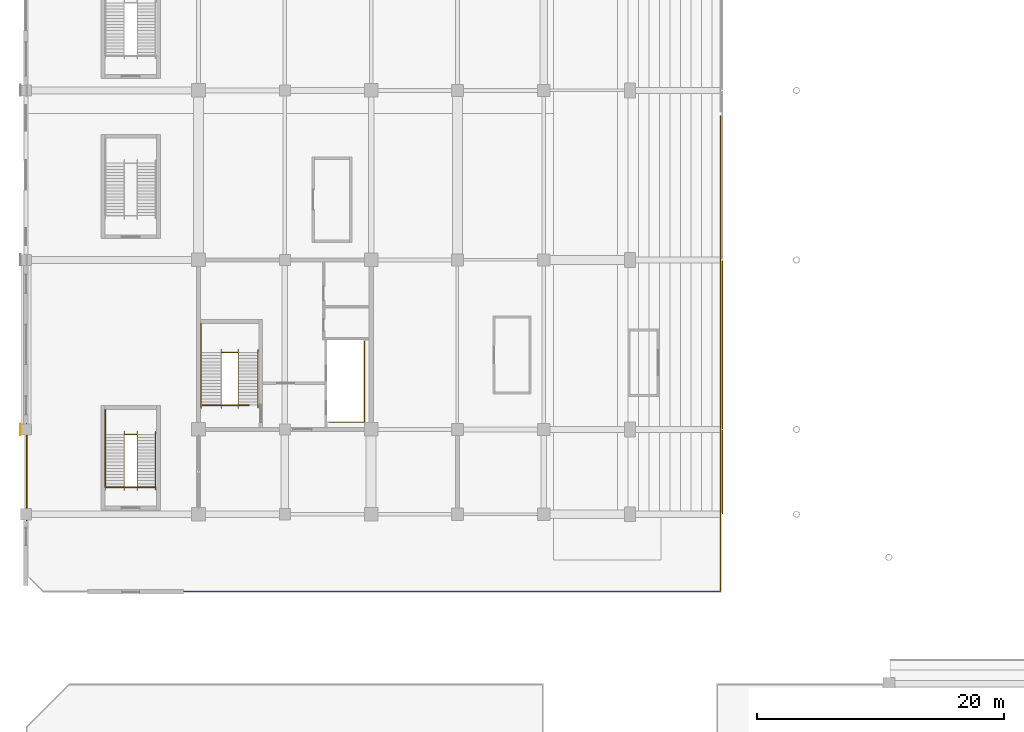
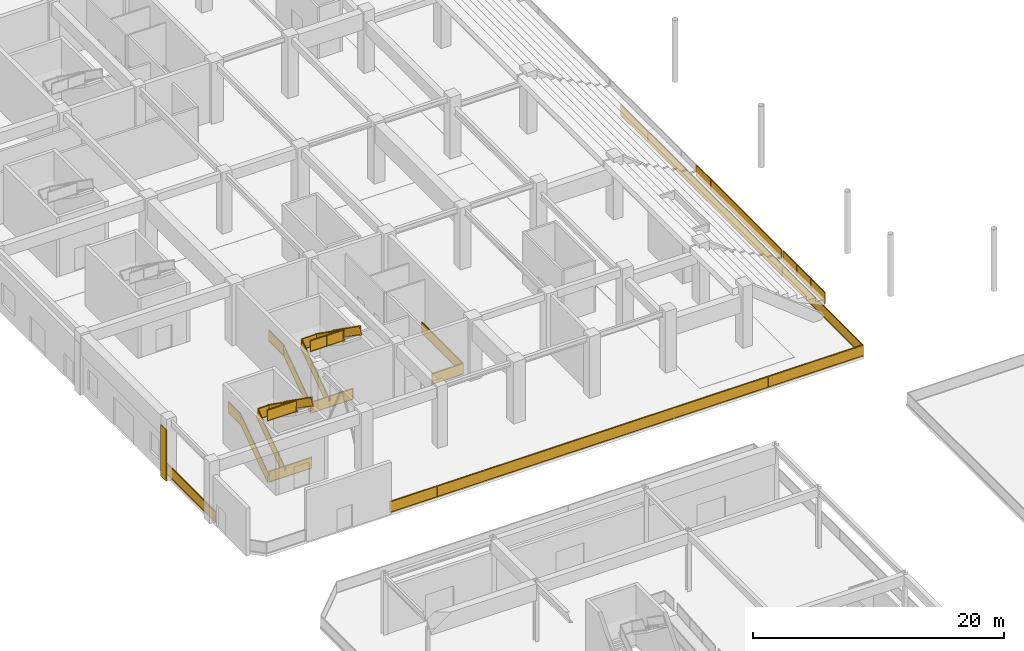
# One storey, part 58 of 73: 13 railings, 1 covering.
"""IFC4 building model written with IfcOpenShell, lengths in metres."""

from ifc_helpers import new_model, si_unit, direction, frame, origin, origin_2d, place, context, subcontext, project, spatial, rectangle, extrude, material, layer, layer_set, type_object, element, save


model = new_model("IFC4")

# Units and contexts
model_context = context("Model", 3, precision=1e-05, world=origin(), true_north=direction((0.0, 1.0)))
body_context = subcontext(model_context, "Body", "Model", "MODEL_VIEW")
ifc_project = project(units=[si_unit("LENGTHUNIT", "METRE"), si_unit("AREAUNIT", "SQUARE_METRE"), si_unit("VOLUMEUNIT", "CUBIC_METRE"), si_unit("PLANEANGLEUNIT", "RADIAN"), si_unit("MASSUNIT", "GRAM", prefix="KILO")], contexts=[model_context])

# Site, building, storey
site_placement = place(None, origin())
site = spatial("IfcSite", under=ifc_project, at=site_placement, CompositionType="ELEMENT")
building_placement = place(site_placement, origin())
building = spatial("IfcBuilding", under=site, at=building_placement, Name="Linyun Crest Stadium", CompositionType="ELEMENT")
storey_placement = place(building_placement, origin())
storey = spatial("IfcBuildingStorey", under=building, at=storey_placement, Name="L01", CompositionType="ELEMENT", Elevation=0.0)

# Covering
ifc_material_1 = material(Name="Precast concrete C40 fluted pier cladding", Category="concrete")
ifc_layer = layer(ifc_material_1, 0.0400390625)
ifc_layer_set = layer_set([ifc_layer], Name="Precast concrete C40 fluted pier cladding")
covering_type = type_object("IfcCoveringType", Name="CLD01", PredefinedType="CLADDING", material=ifc_layer_set)
covering_placement = place(storey_placement, frame((-98.449951171875, -39.125, 0.0), z_axis=(0.0, 0.0, 1.0), x_axis=(1.0, 0.0, 0.0)))
element("IfcCovering", 1, at=covering_placement, inside=storey, type_object=covering_type, Name="Red sandstone pier cladding CLD01 1", PredefinedType="CLADDING", context=body_context, shape_type="SweptSolid", body=[
    extrude(rectangle(XDim=0.06005859375, YDim=0.89990234375, at=origin_2d()), origin(), (0.0, 0.0, 1.0), 5.0),
])

# Railings
ifc_material_2 = material(Name="Galvanized and powder-coated steel bowl safety barrier", Category="steel")
railing_type_1 = type_object("IfcRailingType", Name="GR02", PredefinedType="GUARDRAIL", material=ifc_material_2)
railing_1_placement = place(storey_placement, frame((-41.5, -45.919921875, 1.199951171875)))
element("IfcRailing", 2, at=railing_1_placement, inside=storey, type_object=railing_type_1, Name="Bowl front safety guard GR02 1", PredefinedType="GUARDRAIL", context=body_context, shape_type="SweptSolid", body=[
    extrude(rectangle(XDim=0.06005859375, YDim=0.06005859375, at=origin_2d()), frame((0.0, 0.0, 1.090087890625), z_axis=(0.0, 1.0, 0.0), x_axis=(-1.0, 0.0, 0.0)), (0.0, 0.0, 1.0), 6.71484375),
    extrude(rectangle(XDim=0.030029296875, YDim=1.0, at=origin_2d()), frame((0.0, 0.0, 0.56005859375), z_axis=(0.0, 1.0, 0.0), x_axis=(-1.0, 0.0, 0.0)), (0.0, 0.0, 1.0), 6.71484375),
    extrude(rectangle(XDim=0.06005859375, YDim=0.06005859375, at=origin_2d()), frame((0.0, 0.0, 0.030029296875), z_axis=(0.0, 1.0, 0.0), x_axis=(-1.0, 0.0, 0.0)), (0.0, 0.0, 1.0), 6.71484375),
    extrude(rectangle(XDim=0.050048828125, YDim=0.050048828125, at=origin_2d()), origin(), (0.0, 0.0, 1.0), 1.1201171875),
    extrude(rectangle(XDim=0.050048828125, YDim=0.050048828125, at=origin_2d()), frame((0.0, 2.23828125, 0.0)), (0.0, 0.0, 1.0), 1.1201171875),
    extrude(rectangle(XDim=0.050048828125, YDim=0.050048828125, at=origin_2d()), frame((0.0, 4.4765625, 0.0)), (0.0, 0.0, 1.0), 1.1201171875),
    extrude(rectangle(XDim=0.050048828125, YDim=0.050048828125, at=origin_2d()), frame((0.0, 6.71484375, 0.0)), (0.0, 0.0, 1.0), 1.1201171875),
])
railing_2_placement = place(storey_placement, frame((-41.5, -39.044921875, 1.199951171875)))
element("IfcRailing", 3, at=railing_2_placement, inside=storey, type_object=railing_type_1, Name="Bowl front safety guard GR02 9", PredefinedType="GUARDRAIL", context=body_context, shape_type="SweptSolid", body=[
    extrude(rectangle(XDim=0.06005859375, YDim=0.06005859375, at=origin_2d()), frame((0.0, 0.0, 1.090087890625), z_axis=(0.0, 1.0, 0.0), x_axis=(-1.0, 0.0, 0.0)), (0.0, 0.0, 1.0), 13.58984375),
    extrude(rectangle(XDim=0.030029296875, YDim=1.0, at=origin_2d()), frame((0.0, 0.0, 0.56005859375), z_axis=(0.0, 1.0, 0.0), x_axis=(-1.0, 0.0, 0.0)), (0.0, 0.0, 1.0), 13.58984375),
    extrude(rectangle(XDim=0.06005859375, YDim=0.06005859375, at=origin_2d()), frame((0.0, 0.0, 0.030029296875), z_axis=(0.0, 1.0, 0.0), x_axis=(-1.0, 0.0, 0.0)), (0.0, 0.0, 1.0), 13.58984375),
    extrude(rectangle(XDim=0.050048828125, YDim=0.050048828125, at=origin_2d()), origin(), (0.0, 0.0, 1.0), 1.1201171875),
    extrude(rectangle(XDim=0.050048828125, YDim=0.050048828125, at=origin_2d()), frame((0.0, 2.264892578125, 0.0)), (0.0, 0.0, 1.0), 1.1201171875),
    extrude(rectangle(XDim=0.050048828125, YDim=0.050048828125, at=origin_2d()), frame((0.0, 4.530029296875, 0.0)), (0.0, 0.0, 1.0), 1.1201171875),
    extrude(rectangle(XDim=0.050048828125, YDim=0.050048828125, at=origin_2d()), frame((0.0, 6.794921875, 0.0)), (0.0, 0.0, 1.0), 1.1201171875),
    extrude(rectangle(XDim=0.050048828125, YDim=0.050048828125, at=origin_2d()), frame((0.0, 9.059814453125, 0.0)), (0.0, 0.0, 1.0), 1.1201171875),
    extrude(rectangle(XDim=0.050048828125, YDim=0.050048828125, at=origin_2d()), frame((0.0, 11.324951171875, 0.0)), (0.0, 0.0, 1.0), 1.1201171875),
    extrude(rectangle(XDim=0.050048828125, YDim=0.050048828125, at=origin_2d()), frame((0.0, 13.58984375, 0.0)), (0.0, 0.0, 1.0), 1.1201171875),
])
railing_3_placement = place(storey_placement, frame((-97.93994140625, -46.5, 0.0)))
element("IfcRailing", 4, at=railing_3_placement, inside=storey, type_object=railing_type_1, Name="Slab edge balustrade GR02 2", PredefinedType="GUARDRAIL", context=body_context, shape_type="SweptSolid", body=[
    extrude(rectangle(XDim=0.06005859375, YDim=0.06005859375, at=origin_2d()), frame((0.0, 0.0, 1.090087890625), z_axis=(0.0, 1.0, 0.0), x_axis=(-1.0, 0.0, 0.0)), (0.0, 0.0, 1.0), 7.81494140625),
    extrude(rectangle(XDim=0.030029296875, YDim=1.0, at=origin_2d()), frame((0.0, 0.0, 0.56005859375), z_axis=(0.0, 1.0, 0.0), x_axis=(-1.0, 0.0, 0.0)), (0.0, 0.0, 1.0), 7.81494140625),
    extrude(rectangle(XDim=0.06005859375, YDim=0.06005859375, at=origin_2d()), frame((0.0, 0.0, 0.030029296875), z_axis=(0.0, 1.0, 0.0), x_axis=(-1.0, 0.0, 0.0)), (0.0, 0.0, 1.0), 7.81494140625),
    extrude(rectangle(XDim=0.050048828125, YDim=0.050048828125, at=origin_2d()), origin(), (0.0, 0.0, 1.0), 1.1201171875),
    extrude(rectangle(XDim=0.050048828125, YDim=0.050048828125, at=origin_2d()), frame((0.0, 3.907470703125, 0.0)), (0.0, 0.0, 1.0), 1.1201171875),
    extrude(rectangle(XDim=0.050048828125, YDim=0.050048828125, at=origin_2d()), frame((0.0, 7.81494140625, 0.0)), (0.0, 0.0, 1.0), 1.1201171875),
])
railing_4_placement = place(storey_placement, frame((-41.659912109375, -13.669921875, 0.0)))
element("IfcRailing", 5, at=railing_4_placement, inside=storey, type_object=railing_type_1, Name="Slab edge balustrade GR02 4", PredefinedType="GUARDRAIL", context=body_context, shape_type="SweptSolid", body=[
    extrude(rectangle(XDim=0.06005859375, YDim=0.06005859375, at=origin_2d()), frame((0.0, 0.0, 1.090087890625), z_axis=(0.0, -1.0, 0.0), x_axis=(1.0, 0.0, 0.0)), (0.0, 0.0, 1.0), 38.60498046875),
    extrude(rectangle(XDim=0.030029296875, YDim=1.0, at=origin_2d()), frame((0.0, 0.0, 0.56005859375), z_axis=(0.0, -1.0, 0.0), x_axis=(1.0, 0.0, 0.0)), (0.0, 0.0, 1.0), 38.60498046875),
    extrude(rectangle(XDim=0.06005859375, YDim=0.06005859375, at=origin_2d()), frame((0.0, 0.0, 0.030029296875), z_axis=(0.0, -1.0, 0.0), x_axis=(1.0, 0.0, 0.0)), (0.0, 0.0, 1.0), 38.60498046875),
    extrude(rectangle(XDim=0.06005859375, YDim=0.06005859375, at=origin_2d()), frame((0.0, -38.60498046875, 1.090087890625), z_axis=(-1.0, 0.0, 0.0), x_axis=(0.0, -1.0, 0.0)), (0.0, 0.0, 1.0), 43.5400390625),
    extrude(rectangle(XDim=0.030029296875, YDim=1.0, at=origin_2d()), frame((0.0, -38.60498046875, 0.56005859375), z_axis=(-1.0, 0.0, 0.0), x_axis=(0.0, -1.0, 0.0)), (0.0, 0.0, 1.0), 43.5400390625),
    extrude(rectangle(XDim=0.06005859375, YDim=0.06005859375, at=origin_2d()), frame((0.0, -38.60498046875, 0.030029296875), z_axis=(-1.0, 0.0, 0.0), x_axis=(0.0, -1.0, 0.0)), (0.0, 0.0, 1.0), 43.5400390625),
    extrude(rectangle(XDim=0.050048828125, YDim=0.050048828125, at=origin_2d()), origin(), (0.0, 0.0, 1.0), 1.1201171875),
    extrude(rectangle(XDim=0.050048828125, YDim=0.050048828125, at=origin_2d()), frame((0.0, -4.28955078125, 0.0)), (0.0, 0.0, 1.0), 1.1201171875),
    extrude(rectangle(XDim=0.050048828125, YDim=0.050048828125, at=origin_2d()), frame((0.0, -8.578857421875, 0.0)), (0.0, 0.0, 1.0), 1.1201171875),
    extrude(rectangle(XDim=0.050048828125, YDim=0.050048828125, at=origin_2d()), frame((0.0, -12.868408203125, 0.0)), (0.0, 0.0, 1.0), 1.1201171875),
    extrude(rectangle(XDim=0.050048828125, YDim=0.050048828125, at=origin_2d()), frame((0.0, -17.15771484375, 0.0)), (0.0, 0.0, 1.0), 1.1201171875),
    extrude(rectangle(XDim=0.050048828125, YDim=0.050048828125, at=origin_2d()), frame((0.0, -21.447265625, 0.0)), (0.0, 0.0, 1.0), 1.1201171875),
    extrude(rectangle(XDim=0.050048828125, YDim=0.050048828125, at=origin_2d()), frame((0.0, -25.736572265625, 0.0)), (0.0, 0.0, 1.0), 1.1201171875),
    extrude(rectangle(XDim=0.050048828125, YDim=0.050048828125, at=origin_2d()), frame((0.0, -30.026123046875, 0.0)), (0.0, 0.0, 1.0), 1.1201171875),
    extrude(rectangle(XDim=0.050048828125, YDim=0.050048828125, at=origin_2d()), frame((0.0, -34.3154296875, 0.0)), (0.0, 0.0, 1.0), 1.1201171875),
    extrude(rectangle(XDim=0.050048828125, YDim=0.050048828125, at=origin_2d()), frame((0.0, -38.60498046875, 0.0)), (0.0, 0.0, 1.0), 1.1201171875),
    extrude(rectangle(XDim=0.050048828125, YDim=0.050048828125, at=origin_2d()), frame((-4.35400390625, -38.60498046875, 0.0)), (0.0, 0.0, 1.0), 1.1201171875),
    extrude(rectangle(XDim=0.050048828125, YDim=0.050048828125, at=origin_2d()), frame((-8.7080078125, -38.60498046875, 0.0)), (0.0, 0.0, 1.0), 1.1201171875),
    extrude(rectangle(XDim=0.050048828125, YDim=0.050048828125, at=origin_2d()), frame((-13.06201171875, -38.60498046875, 0.0)), (0.0, 0.0, 1.0), 1.1201171875),
    extrude(rectangle(XDim=0.050048828125, YDim=0.050048828125, at=origin_2d()), frame((-17.416015625, -38.60498046875, 0.0)), (0.0, 0.0, 1.0), 1.1201171875),
    extrude(rectangle(XDim=0.050048828125, YDim=0.050048828125, at=origin_2d()), frame((-21.77001953125, -38.60498046875, 0.0)), (0.0, 0.0, 1.0), 1.1201171875),
    extrude(rectangle(XDim=0.050048828125, YDim=0.050048828125, at=origin_2d()), frame((-26.1240234375, -38.60498046875, 0.0)), (0.0, 0.0, 1.0), 1.1201171875),
    extrude(rectangle(XDim=0.050048828125, YDim=0.050048828125, at=origin_2d()), frame((-30.47802734375, -38.60498046875, 0.0)), (0.0, 0.0, 1.0), 1.1201171875),
    extrude(rectangle(XDim=0.050048828125, YDim=0.050048828125, at=origin_2d()), frame((-34.83203125, -38.60498046875, 0.0)), (0.0, 0.0, 1.0), 1.1201171875),
    extrude(rectangle(XDim=0.050048828125, YDim=0.050048828125, at=origin_2d()), frame((-39.18603515625, -38.60498046875, 0.0)), (0.0, 0.0, 1.0), 1.1201171875),
    extrude(rectangle(XDim=0.050048828125, YDim=0.050048828125, at=origin_2d()), frame((-43.5400390625, -38.60498046875, 0.0)), (0.0, 0.0, 1.0), 1.1201171875),
])
railing_5_placement = place(storey_placement, frame((-73.419921875, -38.534912109375, 0.0)))
element("IfcRailing", 6, at=railing_5_placement, inside=storey, type_object=railing_type_1, Name="Slab edge balustrade GR02 6", PredefinedType="GUARDRAIL", context=body_context, shape_type="SweptSolid", body=[
    extrude(rectangle(XDim=0.06005859375, YDim=0.06005859375, at=origin_2d()), frame((0.0, 0.0, 1.090087890625), z_axis=(1.0, 0.0, 0.0), x_axis=(0.0, 1.0, 0.0)), (0.0, 0.0, 1.0), 2.8798828125),
    extrude(rectangle(XDim=0.030029296875, YDim=1.0, at=origin_2d()), frame((0.0, 0.0, 0.56005859375), z_axis=(1.0, 0.0, 0.0), x_axis=(0.0, 1.0, 0.0)), (0.0, 0.0, 1.0), 2.8798828125),
    extrude(rectangle(XDim=0.06005859375, YDim=0.06005859375, at=origin_2d()), frame((0.0, 0.0, 0.030029296875), z_axis=(1.0, 0.0, 0.0), x_axis=(0.0, 1.0, 0.0)), (0.0, 0.0, 1.0), 2.8798828125),
    extrude(rectangle(XDim=0.06005859375, YDim=0.06005859375, at=origin_2d()), frame((2.8798828125, 0.0, 1.090087890625), z_axis=(0.0, 1.0, 0.0), x_axis=(-1.0, 0.0, 0.0)), (0.0, 0.0, 1.0), 6.5498046875),
    extrude(rectangle(XDim=0.030029296875, YDim=1.0, at=origin_2d()), frame((2.8798828125, 0.0, 0.56005859375), z_axis=(0.0, 1.0, 0.0), x_axis=(-1.0, 0.0, 0.0)), (0.0, 0.0, 1.0), 6.5498046875),
    extrude(rectangle(XDim=0.06005859375, YDim=0.06005859375, at=origin_2d()), frame((2.8798828125, 0.0, 0.030029296875), z_axis=(0.0, 1.0, 0.0), x_axis=(-1.0, 0.0, 0.0)), (0.0, 0.0, 1.0), 6.5498046875),
    extrude(rectangle(XDim=0.050048828125, YDim=0.050048828125, at=origin_2d()), origin(), (0.0, 0.0, 1.0), 1.1201171875),
    extrude(rectangle(XDim=0.050048828125, YDim=0.050048828125, at=origin_2d()), frame((2.8798828125, 0.0, 0.0)), (0.0, 0.0, 1.0), 1.1201171875),
    extrude(rectangle(XDim=0.050048828125, YDim=0.050048828125, at=origin_2d()), frame((2.8798828125, 3.27490234375, 0.0)), (0.0, 0.0, 1.0), 1.1201171875),
    extrude(rectangle(XDim=0.050048828125, YDim=0.050048828125, at=origin_2d()), frame((2.8798828125, 6.5498046875, 0.0)), (0.0, 0.0, 1.0), 1.1201171875),
])
railing_6_placement = place(storey_placement, frame((-83.68505859375, -37.1650390625, 0.0)))
element("IfcRailing", 7, at=railing_6_placement, inside=storey, type_object=railing_type_1, Name="Slab edge balustrade GR02 7", PredefinedType="GUARDRAIL", context=body_context, shape_type="SweptSolid", body=[
    extrude(rectangle(XDim=0.06005859375, YDim=0.06005859375, at=origin_2d()), frame((0.0, 0.0, 1.090087890625), z_axis=(1.0, 0.0, 0.0), x_axis=(0.0, 1.0, 0.0)), (0.0, 0.0, 1.0), 3.78515625),
    extrude(rectangle(XDim=0.030029296875, YDim=1.0, at=origin_2d()), frame((0.0, 0.0, 0.56005859375), z_axis=(1.0, 0.0, 0.0), x_axis=(0.0, 1.0, 0.0)), (0.0, 0.0, 1.0), 3.78515625),
    extrude(rectangle(XDim=0.06005859375, YDim=0.06005859375, at=origin_2d()), frame((0.0, 0.0, 0.030029296875), z_axis=(1.0, 0.0, 0.0), x_axis=(0.0, 1.0, 0.0)), (0.0, 0.0, 1.0), 3.78515625),
    extrude(rectangle(XDim=0.050048828125, YDim=0.050048828125, at=origin_2d()), origin(), (0.0, 0.0, 1.0), 1.1201171875),
    extrude(rectangle(XDim=0.050048828125, YDim=0.050048828125, at=origin_2d()), frame((3.78515625, 0.0, 0.0)), (0.0, 0.0, 1.0), 1.1201171875),
])
railing_7_placement = place(storey_placement, frame((-91.4599609375, -43.81005859375, 0.0)))
element("IfcRailing", 8, at=railing_7_placement, inside=storey, type_object=railing_type_1, Name="Slab edge balustrade GR02 8", PredefinedType="GUARDRAIL", context=body_context, shape_type="SweptSolid", body=[
    extrude(rectangle(XDim=0.06005859375, YDim=0.06005859375, at=origin_2d()), frame((0.0, 0.0, 1.090087890625), z_axis=(1.0, 0.0, 0.0), x_axis=(0.0, 1.0, 0.0)), (0.0, 0.0, 1.0), 3.919921875),
    extrude(rectangle(XDim=0.030029296875, YDim=1.0, at=origin_2d()), frame((0.0, 0.0, 0.56005859375), z_axis=(1.0, 0.0, 0.0), x_axis=(0.0, 1.0, 0.0)), (0.0, 0.0, 1.0), 3.919921875),
    extrude(rectangle(XDim=0.06005859375, YDim=0.06005859375, at=origin_2d()), frame((0.0, 0.0, 0.030029296875), z_axis=(1.0, 0.0, 0.0), x_axis=(0.0, 1.0, 0.0)), (0.0, 0.0, 1.0), 3.919921875),
    extrude(rectangle(XDim=0.050048828125, YDim=0.050048828125, at=origin_2d()), origin(), (0.0, 0.0, 1.0), 1.1201171875),
    extrude(rectangle(XDim=0.050048828125, YDim=0.050048828125, at=origin_2d()), frame((3.919921875, 0.0, 0.0)), (0.0, 0.0, 1.0), 1.1201171875),
])
ifc_material_3 = material(Name="Painted steel stairwell safety guard", Category="steel")
railing_type_2 = type_object("IfcRailingType", Name="GR03", PredefinedType="GUARDRAIL", material=ifc_material_3)
railing_8_placement = place(storey_placement, frame((-83.794921875, -37.135009765625, 0.0)))
element("IfcRailing", 9, at=railing_8_placement, inside=storey, type_object=railing_type_2, Name="STR-01-L01 outer guard", PredefinedType="GUARDRAIL", context=body_context, shape_type="SweptSolid", body=[
    extrude(rectangle(XDim=0.06005859375, YDim=0.06005859375, at=origin_2d()), frame((0.0, 0.0, 1.090087890625), z_axis=(0.0, 0.816967863265, 0.576683197599), x_axis=(-1.0, 0.0, 0.0)), (0.0, 0.0, 1.0), 5.2021484375),
    extrude(rectangle(XDim=0.030029296875, YDim=1.0, at=origin_2d()), frame((0.0, 0.0, 0.56005859375), z_axis=(0.0, 0.816967863265, 0.576683197599), x_axis=(-1.0, 0.0, 0.0)), (0.0, 0.0, 1.0), 5.2021484375),
    extrude(rectangle(XDim=0.06005859375, YDim=0.06005859375, at=origin_2d()), frame((0.0, 0.0, 0.030029296875), z_axis=(0.0, 0.816967863265, 0.576683197599), x_axis=(-1.0, 0.0, 0.0)), (0.0, 0.0, 1.0), 5.2021484375),
    extrude(rectangle(XDim=0.06005859375, YDim=0.06005859375, at=origin_2d()), frame((0.0, 4.25, 4.090087890625), z_axis=(0.0, 1.0, 0.0), x_axis=(-1.0, 0.0, 0.0)), (0.0, 0.0, 1.0), 2.330078125),
    extrude(rectangle(XDim=0.030029296875, YDim=1.0, at=origin_2d()), frame((0.0, 4.25, 3.56005859375), z_axis=(0.0, 1.0, 0.0), x_axis=(-1.0, 0.0, 0.0)), (0.0, 0.0, 1.0), 2.330078125),
    extrude(rectangle(XDim=0.06005859375, YDim=0.06005859375, at=origin_2d()), frame((0.0, 4.25, 3.030029296875), z_axis=(0.0, 1.0, 0.0), x_axis=(-1.0, 0.0, 0.0)), (0.0, 0.0, 1.0), 2.330078125),
    extrude(rectangle(XDim=0.050048828125, YDim=0.050048828125, at=origin_2d()), origin(), (0.0, 0.0, 1.0), 1.1201171875),
    extrude(rectangle(XDim=0.050048828125, YDim=0.050048828125, at=origin_2d()), frame((0.0, 1.416748046875, 1.0)), (0.0, 0.0, 1.0), 1.1201171875),
    extrude(rectangle(XDim=0.050048828125, YDim=0.050048828125, at=origin_2d()), frame((0.0, 2.833251953125, 2.0)), (0.0, 0.0, 1.0), 1.1201171875),
    extrude(rectangle(XDim=0.050048828125, YDim=0.050048828125, at=origin_2d()), frame((0.0, 4.25, 3.0)), (0.0, 0.0, 1.0), 1.1201171875),
    extrude(rectangle(XDim=0.050048828125, YDim=0.050048828125, at=origin_2d()), frame((0.0, 5.4150390625, 3.0)), (0.0, 0.0, 1.0), 1.1201171875),
    extrude(rectangle(XDim=0.050048828125, YDim=0.050048828125, at=origin_2d()), frame((0.0, 6.580078125, 3.0)), (0.0, 0.0, 1.0), 1.1201171875),
])
railing_9_placement = place(storey_placement, frame((-82.155029296875, -37.155029296875, 0.0)))
element("IfcRailing", 10, at=railing_9_placement, inside=storey, type_object=railing_type_2, Name="STR-01-L01 inner well guard", PredefinedType="GUARDRAIL", context=body_context, shape_type="SweptSolid", body=[
    extrude(rectangle(XDim=0.06005859375, YDim=0.06005859375, at=origin_2d()), frame((0.0, 0.0, 1.090087890625), z_axis=(0.0, 0.818241657069, 0.574874412926), x_axis=(-1.0, 0.0, 0.0)), (0.0, 0.0, 1.0), 5.218505859375),
    extrude(rectangle(XDim=0.030029296875, YDim=1.0, at=origin_2d()), frame((0.0, 0.0, 0.56005859375), z_axis=(0.0, 0.818241657069, 0.574874412926), x_axis=(-1.0, 0.0, 0.0)), (0.0, 0.0, 1.0), 5.218505859375),
    extrude(rectangle(XDim=0.06005859375, YDim=0.06005859375, at=origin_2d()), frame((0.0, 0.0, 0.030029296875), z_axis=(0.0, 0.818241657069, 0.574874412926), x_axis=(-1.0, 0.0, 0.0)), (0.0, 0.0, 1.0), 5.218505859375),
    extrude(rectangle(XDim=0.06005859375, YDim=0.06005859375, at=origin_2d()), frame((0.0, 4.27001953125, 4.090087890625), z_axis=(1.0, 0.0, 0.0), x_axis=(0.0, 1.0, 0.0)), (0.0, 0.0, 1.0), 1.385009765625),
    extrude(rectangle(XDim=0.030029296875, YDim=1.0, at=origin_2d()), frame((0.0, 4.27001953125, 3.56005859375), z_axis=(1.0, 0.0, 0.0), x_axis=(0.0, 1.0, 0.0)), (0.0, 0.0, 1.0), 1.385009765625),
    extrude(rectangle(XDim=0.06005859375, YDim=0.06005859375, at=origin_2d()), frame((0.0, 4.27001953125, 3.030029296875), z_axis=(1.0, 0.0, 0.0), x_axis=(0.0, 1.0, 0.0)), (0.0, 0.0, 1.0), 1.385009765625),
    extrude(rectangle(XDim=0.06005859375, YDim=0.06005859375, at=origin_2d()), frame((1.385009765625, 4.27001953125, 4.090087890625), z_axis=(0.0, -0.818241657069, 0.574874412926), x_axis=(1.0, 0.0, 0.0)), (0.0, 0.0, 1.0), 5.218505859375),
    extrude(rectangle(XDim=0.030029296875, YDim=1.0, at=origin_2d()), frame((1.385009765625, 4.27001953125, 3.56005859375), z_axis=(0.0, -0.818241657069, 0.574874412926), x_axis=(1.0, 0.0, 0.0)), (0.0, 0.0, 1.0), 5.218505859375),
    extrude(rectangle(XDim=0.06005859375, YDim=0.06005859375, at=origin_2d()), frame((1.385009765625, 4.27001953125, 3.030029296875), z_axis=(0.0, -0.818241657069, 0.574874412926), x_axis=(1.0, 0.0, 0.0)), (0.0, 0.0, 1.0), 5.218505859375),
    extrude(rectangle(XDim=0.06005859375, YDim=0.06005859375, at=origin_2d()), frame((1.385009765625, 0.0, 7.090087890625), z_axis=(-1.0, 0.0, 0.0), x_axis=(0.0, -1.0, 0.0)), (0.0, 0.0, 1.0), 3.034912109375),
    extrude(rectangle(XDim=0.030029296875, YDim=1.0, at=origin_2d()), frame((1.385009765625, 0.0, 6.56005859375), z_axis=(-1.0, 0.0, 0.0), x_axis=(0.0, -1.0, 0.0)), (0.0, 0.0, 1.0), 3.034912109375),
    extrude(rectangle(XDim=0.06005859375, YDim=0.06005859375, at=origin_2d()), frame((1.385009765625, 0.0, 6.030029296875), z_axis=(-1.0, 0.0, 0.0), x_axis=(0.0, -1.0, 0.0)), (0.0, 0.0, 1.0), 3.034912109375),
    extrude(rectangle(XDim=0.050048828125, YDim=0.050048828125, at=origin_2d()), origin(), (0.0, 0.0, 1.0), 1.1201171875),
    extrude(rectangle(XDim=0.050048828125, YDim=0.050048828125, at=origin_2d()), frame((0.0, 1.42333984375, 1.0)), (0.0, 0.0, 1.0), 1.1201171875),
    extrude(rectangle(XDim=0.050048828125, YDim=0.050048828125, at=origin_2d()), frame((0.0, 2.8466796875, 2.0)), (0.0, 0.0, 1.0), 1.1201171875),
    extrude(rectangle(XDim=0.050048828125, YDim=0.050048828125, at=origin_2d()), frame((0.0, 4.27001953125, 3.0)), (0.0, 0.0, 1.0), 1.1201171875),
    extrude(rectangle(XDim=0.050048828125, YDim=0.050048828125, at=origin_2d()), frame((1.385009765625, 4.27001953125, 3.0)), (0.0, 0.0, 1.0), 1.1201171875),
    extrude(rectangle(XDim=0.050048828125, YDim=0.050048828125, at=origin_2d()), frame((1.385009765625, 2.8466796875, 4.0)), (0.0, 0.0, 1.0), 1.1201171875),
    extrude(rectangle(XDim=0.050048828125, YDim=0.050048828125, at=origin_2d()), frame((1.385009765625, 1.42333984375, 5.0)), (0.0, 0.0, 1.0), 1.1201171875),
    extrude(rectangle(XDim=0.050048828125, YDim=0.050048828125, at=origin_2d()), frame((1.385009765625, 0.0, 6.0)), (0.0, 0.0, 1.0), 1.1201171875),
    extrude(rectangle(XDim=0.050048828125, YDim=0.050048828125, at=origin_2d()), frame((-0.13232421875, 0.0, 6.0)), (0.0, 0.0, 1.0), 1.1201171875),
    extrude(rectangle(XDim=0.050048828125, YDim=0.050048828125, at=origin_2d()), frame((-1.64990234375, 0.0, 6.0)), (0.0, 0.0, 1.0), 1.1201171875),
])
railing_10_placement = place(storey_placement, frame((-91.570068359375, -43.780029296875, 0.0)))
element("IfcRailing", 11, at=railing_10_placement, inside=storey, type_object=railing_type_2, Name="STR-13-L01 outer guard", PredefinedType="GUARDRAIL", context=body_context, shape_type="SweptSolid", body=[
    extrude(rectangle(XDim=0.06005859375, YDim=0.06005859375, at=origin_2d()), frame((0.0, 0.0, 1.090087890625), z_axis=(0.0, 0.816967863265, 0.576683197599), x_axis=(-1.0, 0.0, 0.0)), (0.0, 0.0, 1.0), 5.2021484375),
    extrude(rectangle(XDim=0.030029296875, YDim=1.0, at=origin_2d()), frame((0.0, 0.0, 0.56005859375), z_axis=(0.0, 0.816967863265, 0.576683197599), x_axis=(-1.0, 0.0, 0.0)), (0.0, 0.0, 1.0), 5.2021484375),
    extrude(rectangle(XDim=0.06005859375, YDim=0.06005859375, at=origin_2d()), frame((0.0, 0.0, 0.030029296875), z_axis=(0.0, 0.816967863265, 0.576683197599), x_axis=(-1.0, 0.0, 0.0)), (0.0, 0.0, 1.0), 5.2021484375),
    extrude(rectangle(XDim=0.06005859375, YDim=0.06005859375, at=origin_2d()), frame((0.0, 4.25, 4.090087890625), z_axis=(0.0, 1.0, 0.0), x_axis=(-1.0, 0.0, 0.0)), (0.0, 0.0, 1.0), 2.0),
    extrude(rectangle(XDim=0.030029296875, YDim=1.0, at=origin_2d()), frame((0.0, 4.25, 3.56005859375), z_axis=(0.0, 1.0, 0.0), x_axis=(-1.0, 0.0, 0.0)), (0.0, 0.0, 1.0), 2.0),
    extrude(rectangle(XDim=0.06005859375, YDim=0.06005859375, at=origin_2d()), frame((0.0, 4.25, 3.030029296875), z_axis=(0.0, 1.0, 0.0), x_axis=(-1.0, 0.0, 0.0)), (0.0, 0.0, 1.0), 2.0),
    extrude(rectangle(XDim=0.050048828125, YDim=0.050048828125, at=origin_2d()), origin(), (0.0, 0.0, 1.0), 1.1201171875),
    extrude(rectangle(XDim=0.050048828125, YDim=0.050048828125, at=origin_2d()), frame((0.0, 1.416748046875, 1.0)), (0.0, 0.0, 1.0), 1.1201171875),
    extrude(rectangle(XDim=0.050048828125, YDim=0.050048828125, at=origin_2d()), frame((0.0, 2.833251953125, 2.0)), (0.0, 0.0, 1.0), 1.1201171875),
    extrude(rectangle(XDim=0.050048828125, YDim=0.050048828125, at=origin_2d()), frame((0.0, 4.25, 3.0)), (0.0, 0.0, 1.0), 1.1201171875),
    extrude(rectangle(XDim=0.050048828125, YDim=0.050048828125, at=origin_2d()), frame((0.0, 6.25, 3.0)), (0.0, 0.0, 1.0), 1.1201171875),
])
railing_11_placement = place(storey_placement, frame((-90.030029296875, -43.800048828125, 0.0)))
element("IfcRailing", 12, at=railing_11_placement, inside=storey, type_object=railing_type_2, Name="STR-13-L01 inner well guard", PredefinedType="GUARDRAIL", context=body_context, shape_type="SweptSolid", body=[
    extrude(rectangle(XDim=0.06005859375, YDim=0.06005859375, at=origin_2d()), frame((0.0, 0.0, 1.090087890625), z_axis=(0.0, 0.818241657069, 0.574874412926), x_axis=(-1.0, 0.0, 0.0)), (0.0, 0.0, 1.0), 5.218505859375),
    extrude(rectangle(XDim=0.030029296875, YDim=1.0, at=origin_2d()), frame((0.0, 0.0, 0.56005859375), z_axis=(0.0, 0.818241657069, 0.574874412926), x_axis=(-1.0, 0.0, 0.0)), (0.0, 0.0, 1.0), 5.218505859375),
    extrude(rectangle(XDim=0.06005859375, YDim=0.06005859375, at=origin_2d()), frame((0.0, 0.0, 0.030029296875), z_axis=(0.0, 0.818241657069, 0.574874412926), x_axis=(-1.0, 0.0, 0.0)), (0.0, 0.0, 1.0), 5.218505859375),
    extrude(rectangle(XDim=0.06005859375, YDim=0.06005859375, at=origin_2d()), frame((0.0, 4.27001953125, 4.090087890625), z_axis=(1.0, 0.0, 0.0), x_axis=(0.0, 1.0, 0.0)), (0.0, 0.0, 1.0), 1.06005859375),
    extrude(rectangle(XDim=0.030029296875, YDim=1.0, at=origin_2d()), frame((0.0, 4.27001953125, 3.56005859375), z_axis=(1.0, 0.0, 0.0), x_axis=(0.0, 1.0, 0.0)), (0.0, 0.0, 1.0), 1.06005859375),
    extrude(rectangle(XDim=0.06005859375, YDim=0.06005859375, at=origin_2d()), frame((0.0, 4.27001953125, 3.030029296875), z_axis=(1.0, 0.0, 0.0), x_axis=(0.0, 1.0, 0.0)), (0.0, 0.0, 1.0), 1.06005859375),
    extrude(rectangle(XDim=0.06005859375, YDim=0.06005859375, at=origin_2d()), frame((1.06005859375, 4.27001953125, 4.090087890625), z_axis=(0.0, -0.818241657069, 0.574874412926), x_axis=(1.0, 0.0, 0.0)), (0.0, 0.0, 1.0), 5.218505859375),
    extrude(rectangle(XDim=0.030029296875, YDim=1.0, at=origin_2d()), frame((1.06005859375, 4.27001953125, 3.56005859375), z_axis=(0.0, -0.818241657069, 0.574874412926), x_axis=(1.0, 0.0, 0.0)), (0.0, 0.0, 1.0), 5.218505859375),
    extrude(rectangle(XDim=0.06005859375, YDim=0.06005859375, at=origin_2d()), frame((1.06005859375, 4.27001953125, 3.030029296875), z_axis=(0.0, -0.818241657069, 0.574874412926), x_axis=(1.0, 0.0, 0.0)), (0.0, 0.0, 1.0), 5.218505859375),
    extrude(rectangle(XDim=0.06005859375, YDim=0.06005859375, at=origin_2d()), frame((1.06005859375, 0.0, 7.090087890625), z_axis=(-1.0, 0.0, 0.0), x_axis=(0.0, -1.0, 0.0)), (0.0, 0.0, 1.0), 2.610107421875),
    extrude(rectangle(XDim=0.030029296875, YDim=1.0, at=origin_2d()), frame((1.06005859375, 0.0, 6.56005859375), z_axis=(-1.0, 0.0, 0.0), x_axis=(0.0, -1.0, 0.0)), (0.0, 0.0, 1.0), 2.610107421875),
    extrude(rectangle(XDim=0.06005859375, YDim=0.06005859375, at=origin_2d()), frame((1.06005859375, 0.0, 6.030029296875), z_axis=(-1.0, 0.0, 0.0), x_axis=(0.0, -1.0, 0.0)), (0.0, 0.0, 1.0), 2.610107421875),
    extrude(rectangle(XDim=0.050048828125, YDim=0.050048828125, at=origin_2d()), origin(), (0.0, 0.0, 1.0), 1.1201171875),
    extrude(rectangle(XDim=0.050048828125, YDim=0.050048828125, at=origin_2d()), frame((0.0, 1.42333984375, 1.0)), (0.0, 0.0, 1.0), 1.1201171875),
    extrude(rectangle(XDim=0.050048828125, YDim=0.050048828125, at=origin_2d()), frame((0.0, 2.8466796875, 2.0)), (0.0, 0.0, 1.0), 1.1201171875),
    extrude(rectangle(XDim=0.050048828125, YDim=0.050048828125, at=origin_2d()), frame((0.0, 4.27001953125, 3.0)), (0.0, 0.0, 1.0), 1.1201171875),
    extrude(rectangle(XDim=0.050048828125, YDim=0.050048828125, at=origin_2d()), frame((1.06005859375, 4.27001953125, 3.0)), (0.0, 0.0, 1.0), 1.1201171875),
    extrude(rectangle(XDim=0.050048828125, YDim=0.050048828125, at=origin_2d()), frame((1.06005859375, 2.8466796875, 4.0)), (0.0, 0.0, 1.0), 1.1201171875),
    extrude(rectangle(XDim=0.050048828125, YDim=0.050048828125, at=origin_2d()), frame((1.06005859375, 1.42333984375, 5.0)), (0.0, 0.0, 1.0), 1.1201171875),
    extrude(rectangle(XDim=0.050048828125, YDim=0.050048828125, at=origin_2d()), frame((1.06005859375, 0.0, 6.0)), (0.0, 0.0, 1.0), 1.1201171875),
    extrude(rectangle(XDim=0.050048828125, YDim=0.050048828125, at=origin_2d()), frame((-0.2451171875, 0.0, 6.0)), (0.0, 0.0, 1.0), 1.1201171875),
    extrude(rectangle(XDim=0.050048828125, YDim=0.050048828125, at=origin_2d()), frame((-1.550048828125, 0.0, 6.0)), (0.0, 0.0, 1.0), 1.1201171875),
])
ifc_material_4 = material(Name="Brushed stainless steel tubular handrail", Category="steel")
railing_type_3 = type_object("IfcRailingType", Name="HR01", PredefinedType="HANDRAIL", material=ifc_material_4)
for number, where, name in (
    (13, (-79.179931640625, -32.885009765625, 3.0), "STR-01-L01 handrail"),
    (14, (-87.47998046875, -39.530029296875, 3.0), "STR-13-L01 handrail"),
):
    element("IfcRailing", number, at=place(storey_placement, frame(where)), inside=storey, type_object=railing_type_3, Name=name, PredefinedType="HANDRAIL", context=body_context, shape_type="SweptSolid", body=[
        extrude(rectangle(XDim=0.06005859375, YDim=0.06005859375, at=origin_2d()), frame((0.0, 0.0, 0.889892578125), z_axis=(0.0, -0.816967863265, 0.576683197599), x_axis=(1.0, 0.0, 0.0)), (0.0, 0.0, 1.0), 5.2021484375),
        extrude(rectangle(XDim=0.030029296875, YDim=0.7998046875, at=origin_2d()), frame((0.0, 0.0, 0.4599609375), z_axis=(0.0, -0.816967863265, 0.576683197599), x_axis=(1.0, 0.0, 0.0)), (0.0, 0.0, 1.0), 5.2021484375),
        extrude(rectangle(XDim=0.06005859375, YDim=0.06005859375, at=origin_2d()), frame((0.0, 0.0, 0.030029296875), z_axis=(0.0, -0.816967863265, 0.576683197599), x_axis=(1.0, 0.0, 0.0)), (0.0, 0.0, 1.0), 5.2021484375),
        extrude(rectangle(XDim=0.050048828125, YDim=0.050048828125, at=origin_2d()), origin(), (0.0, 0.0, 1.0), 0.919921875),
        extrude(rectangle(XDim=0.050048828125, YDim=0.050048828125, at=origin_2d()), frame((0.0, -1.416748046875, 1.0)), (0.0, 0.0, 1.0), 0.919921875),
        extrude(rectangle(XDim=0.050048828125, YDim=0.050048828125, at=origin_2d()), frame((0.0, -2.833251953125, 2.0)), (0.0, 0.0, 1.0), 0.919921875),
        extrude(rectangle(XDim=0.050048828125, YDim=0.050048828125, at=origin_2d()), frame((0.0, -4.25, 3.0)), (0.0, 0.0, 1.0), 0.919921875),
    ])

save(model, "model.ifc")
